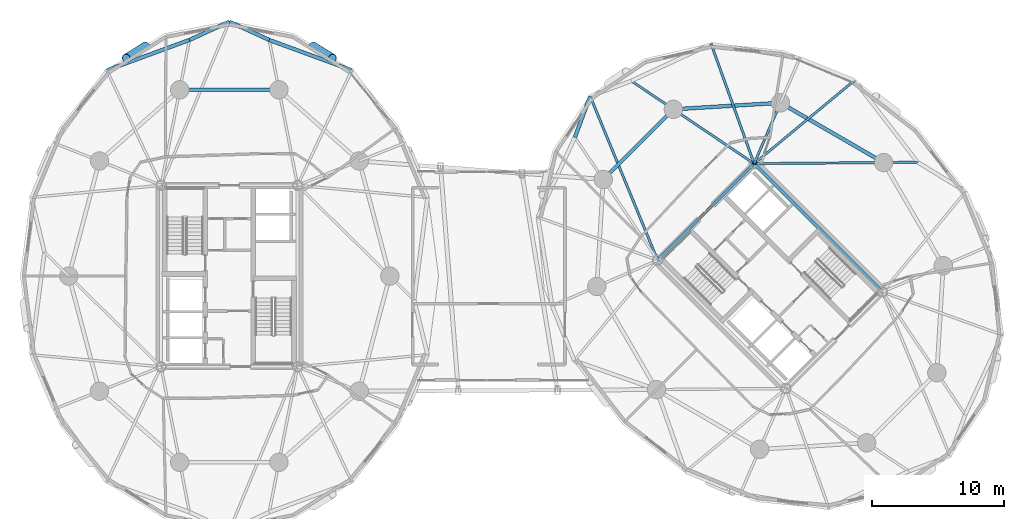
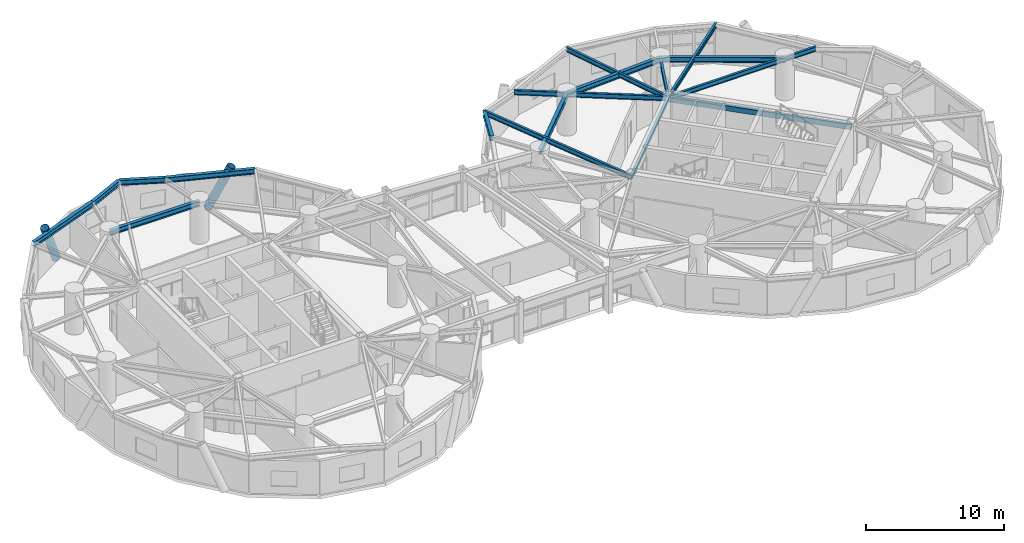
# One storey, part 7 of 19: 17 beams, 2 members.
"""IFC4 building model written with IfcOpenShell, lengths in metres."""

from ifc_helpers import new_model, si_unit, direction, frame, origin, origin_2d, place, context, subcontext, project, spatial, hollow_rectangle, hollow_circle, i_section, extrude, material, material_profile, profile_set, type_object, element, save


model = new_model("IFC4")

# Units and contexts
model_context = context("Model", 3, precision=1e-05, world=origin(), true_north=direction((0.0, 1.0)))
body_context = subcontext(model_context, "Body", "Model", "MODEL_VIEW")
ifc_project = project(units=[si_unit("LENGTHUNIT", "METRE"), si_unit("AREAUNIT", "SQUARE_METRE"), si_unit("VOLUMEUNIT", "CUBIC_METRE"), si_unit("PLANEANGLEUNIT", "RADIAN"), si_unit("MASSUNIT", "GRAM", prefix="KILO")], contexts=[model_context])

# Site, building, storey
site_placement = place(None, origin())
site = spatial("IfcSite", under=ifc_project, at=site_placement, CompositionType="ELEMENT")
building_placement = place(site_placement, origin())
building = spatial("IfcBuilding", under=site, at=building_placement, Name="Cununo Teusaquillo Station Towers", CompositionType="ELEMENT")
storey_placement = place(building_placement, frame((0.0, 0.0, 132.8798828125)))
storey = spatial("IfcBuildingStorey", under=building, at=storey_placement, Name="L42", CompositionType="ELEMENT", Elevation=132.8798828125)

# Beams
ifc_material_1 = material(Name="Steel EN 10025-2 S355J2", Category="steel")
ifc_material_profile_1 = material_profile(ifc_material_1, hollow_rectangle(XDim=0.25, YDim=0.449951171875, WallThickness=0.01611328125, at=origin_2d()), Name="RHS 450x250x16")
ifc_profile_set_1 = profile_set([ifc_material_profile_1], Name="Steel EN 10025-2 S355J2")
beam_type_1 = type_object("IfcBeamType", Name="BM-COUP-1", PredefinedType="USERDEFINED", material=ifc_profile_set_1)
beam_1_placement = place(storey_placement, frame((66.024169921875, 23.29443359375, 3.215087890625), z_axis=(-0.707106781187, 0.707106781187, 0.0), x_axis=(-0.707106781187, -0.707106781187, 0.0)))
element("IfcBeam", 1, at=beam_1_placement, inside=storey, type_object=beam_type_1, Name="L42 Tower B Core Beam 2", ObjectType="COUPLING BEAM", PredefinedType="USERDEFINED", context=body_context, shape_type="SweptSolid", body=[
    extrude(hollow_rectangle(XDim=0.25, YDim=0.449951171875, WallThickness=0.01611328125, at=origin_2d()), origin(), (0.0, 0.0, 1.0), 13.760009765625),
])
ifc_material_2 = material(Name="Steel ASTM A572 Grade 50", Category="steel")
ifc_material_profile_2 = material_profile(ifc_material_2, i_section(OverallWidth=0.180908203125, OverallDepth=0.4169921875, WebThickness=0.010986328125, FlangeThickness=0.018310546875, FilletRadius=0.012939453125, at=origin_2d()), Name="W16X57")
ifc_profile_set_2 = profile_set([ifc_material_profile_2], Name="Steel ASTM A572 Grade 50")
beam_type_2 = type_object("IfcBeamType", Name="BM-JOIST-1", PredefinedType="JOIST", material=ifc_profile_set_2)
beam_2_placement = place(storey_placement, frame((56.29443359375, 33.024169921875, 3.231689453125), z_axis=(0.769727799615, 0.638372238196, 0.0), x_axis=(-0.638372238196, 0.769727799615, 0.0)))
element("IfcBeam", 2, at=beam_2_placement, inside=storey, type_object=beam_type_2, Name="L42 Tower B Radial Spandrel Joist V01", PredefinedType="JOIST", context=body_context, shape_type="SweptSolid", body=[
    extrude(i_section(OverallWidth=0.180908203125, OverallDepth=0.4169921875, WebThickness=0.010986328125, FlangeThickness=0.018310546875, FilletRadius=0.012939453125, at=origin_2d()), origin(), (0.0, 0.0, 1.0), 9.895263671875),
])
beam_3_placement = place(storey_placement, frame((56.29443359375, 33.024169921875, 3.231689453125), z_axis=(-0.338176312038, 0.941082771055, 0.0), x_axis=(-0.941082771055, -0.338176312038, 0.0)))
element("IfcBeam", 3, at=beam_3_placement, inside=storey, type_object=beam_type_2, Name="L42 Tower B Radial Spandrel Joist V03", PredefinedType="JOIST", context=body_context, shape_type="SweptSolid", body=[
    extrude(i_section(OverallWidth=0.180908203125, OverallDepth=0.4169921875, WebThickness=0.010986328125, FlangeThickness=0.018310546875, FilletRadius=0.012939453125, at=origin_2d()), origin(), (0.0, 0.0, 1.0), 9.646484375),
])
beam_4_placement = place(storey_placement, frame((48.975830078125, 25.70556640625, 3.231689453125), z_axis=(-0.380485864505, 0.924786735908, 0.0), x_axis=(-0.924786735908, -0.380485864505, 0.0)))
element("IfcBeam", 4, at=beam_4_placement, inside=storey, type_object=beam_type_2, Name="L42 Tower B Radial Spandrel Joist V05", PredefinedType="JOIST", context=body_context, shape_type="SweptSolid", body=[
    extrude(i_section(OverallWidth=0.180908203125, OverallDepth=0.4169921875, WebThickness=0.010986328125, FlangeThickness=0.018310546875, FilletRadius=0.012939453125, at=origin_2d()), origin(), (0.0, 0.0, 1.0), 13.44580078125),
])
ifc_material_3 = material(Name="Steel ASTM A572 Grade 50", Category="steel")
ifc_material_profile_3 = material_profile(ifc_material_3, i_section(OverallWidth=0.2041015625, OverallDepth=0.35009765625, WebThickness=0.008544921875, FlangeThickness=0.01513671875, FilletRadius=0.011962890625, at=origin_2d()), Name="W14X48")
ifc_profile_set_3 = profile_set([ifc_material_profile_3], Name="Steel ASTM A572 Grade 50")
beam_type_3 = type_object("IfcBeamType", Name="BM-LINTEL-1", PredefinedType="LINTEL", material=ifc_profile_set_3)
beam_5_placement = place(storey_placement, frame((48.975830078125, 25.70556640625, 3.26513671875), z_axis=(0.707106781187, 0.707106781187, 0.0), x_axis=(-0.707106781187, 0.707106781187, 0.0)))
element("IfcBeam", 5, at=beam_5_placement, inside=storey, type_object=beam_type_3, Name="L42 Tower B Core Beam 4", PredefinedType="LINTEL", context=body_context, shape_type="SweptSolid", body=[
    extrude(i_section(OverallWidth=0.2041015625, OverallDepth=0.35009765625, WebThickness=0.008544921875, FlangeThickness=0.01513671875, FilletRadius=0.011962890625, at=origin_2d()), origin(), (0.0, 0.0, 1.0), 10.35009765625),
])
ifc_material_4 = material(Name="Steel ASTM A572 Grade 50", Category="steel")
ifc_material_profile_4 = material_profile(ifc_material_4, i_section(OverallWidth=0.180908203125, OverallDepth=0.4169921875, WebThickness=0.010986328125, FlangeThickness=0.018310546875, FilletRadius=0.012939453125, at=origin_2d()), Name="W16X57")
ifc_profile_set_4 = profile_set([ifc_material_profile_4], Name="Steel ASTM A572 Grade 50")
beam_type_4 = type_object("IfcBeamType", Name="BM-RAD-G2", PredefinedType="BEAM", material=ifc_profile_set_4)
beam_6_placement = place(storey_placement, frame((56.29443359375, 33.024169921875, 3.231689453125), z_axis=(0.999964331255, 0.008446077024, 0.0), x_axis=(-0.008446077024, 0.999964331255, 0.0)))
element("IfcBeam", 6, at=beam_6_placement, inside=storey, type_object=beam_type_4, Name="L42 Tower B Continuous Overhanging Radial Girder 01", PredefinedType="BEAM", context=body_context, shape_type="SweptSolid", body=[
    extrude(i_section(OverallWidth=0.180908203125, OverallDepth=0.4169921875, WebThickness=0.010986328125, FlangeThickness=0.018310546875, FilletRadius=0.012939453125, at=origin_2d()), origin(), (0.0, 0.0, 1.0), 12.400634765625),
])
beam_7_placement = place(storey_placement, frame((56.29443359375, 33.024169921875, 3.231689453125), z_axis=(0.397346986387, 0.917668443616, 0.0), x_axis=(-0.917668443616, 0.397346986387, 0.0)))
element("IfcBeam", 7, at=beam_7_placement, inside=storey, type_object=beam_type_4, Name="L42 Tower B Radial Girder 02A", PredefinedType="BEAM", context=body_context, shape_type="SweptSolid", body=[
    extrude(i_section(OverallWidth=0.180908203125, OverallDepth=0.4169921875, WebThickness=0.010986328125, FlangeThickness=0.018310546875, FilletRadius=0.012939453125, at=origin_2d()), origin(), (0.0, 0.0, 1.0), 5.02490234375),
])
beam_8_placement = place(storey_placement, frame((56.29443359375, 33.024169921875, 3.231689453125), z_axis=(-0.82945583878, 0.558572297481, 0.0), x_axis=(-0.558572297481, -0.82945583878, 0.0)))
element("IfcBeam", 8, at=beam_8_placement, inside=storey, type_object=beam_type_4, Name="L42 Tower B Continuous Overhanging Radial Girder 03", PredefinedType="BEAM", context=body_context, shape_type="SweptSolid", body=[
    extrude(i_section(OverallWidth=0.180908203125, OverallDepth=0.4169921875, WebThickness=0.010986328125, FlangeThickness=0.018310546875, FilletRadius=0.012939453125, at=origin_2d()), origin(), (0.0, 0.0, 1.0), 11.22998046875),
])
ifc_material_5 = material(Name="Steel ASTM A572 Grade 50", Category="steel")
ifc_material_profile_5 = material_profile(ifc_material_5, i_section(OverallWidth=0.280029296875, OverallDepth=0.462890625, WebThickness=0.0107421875, FlangeThickness=0.017333984375, FilletRadius=0.013916015625, at=origin_2d()), Name="W18X76")
ifc_profile_set_5 = profile_set([ifc_material_profile_5], Name="Steel ASTM A572 Grade 50")
beam_type_5 = type_object("IfcBeamType", Name="BM-RING-Z2", PredefinedType="SPANDREL", material=ifc_profile_set_5)
beam_9_placement = place(storey_placement, frame((20.261474609375, 38.623291015625, 3.20849609375), z_axis=(-1.0, 0.0, 0.0), x_axis=(0.0, -1.0, 0.0)))
element("IfcBeam", 9, at=beam_9_placement, inside=storey, type_object=beam_type_5, Name="L42 Tower A Structural Column Ring Girder 03", PredefinedType="SPANDREL", context=body_context, shape_type="SweptSolid", body=[
    extrude(i_section(OverallWidth=0.280029296875, OverallDepth=0.462890625, WebThickness=0.0107421875, FlangeThickness=0.017333984375, FilletRadius=0.013916015625, at=origin_2d()), origin(), (0.0, 0.0, 1.0), 7.52294921875),
])
beam_10_placement = place(storey_placement, frame((25.78759765625, 40.10595703125, 3.20849609375), z_axis=(-0.938914161016, 0.34415141761, 0.0), x_axis=(-0.34415141761, -0.938914161016, 0.0)))
element("IfcBeam", 10, at=beam_10_placement, inside=storey, type_object=beam_type_5, Name="L42 Tower A Spandrel Ring Beam 04", PredefinedType="SPANDREL", context=body_context, shape_type="SweptSolid", body=[
    extrude(i_section(OverallWidth=0.280029296875, OverallDepth=0.462890625, WebThickness=0.0107421875, FlangeThickness=0.017333984375, FilletRadius=0.013916015625, at=origin_2d()), origin(), (0.0, 0.0, 1.0), 6.671142578125),
])
for number, where, z_axis, x_axis, name in (
    (11, (19.52392578125, 42.40185546875, 3.20849609375), (-0.908812215281, 0.417205413862, 0.0), (-0.417205413862, -0.908812215281, 0.0), "L42 Tower A Spandrel Ring Beam 05"),
    (12, (16.5, 43.7900390625, 3.20849609375), (-0.908812215281, -0.417205413862, 0.0), (0.417205413862, -0.908812215281, 0.0), "L42 Tower A Spandrel Ring Beam 06"),
):
    element("IfcBeam", number, at=place(storey_placement, frame(where, z_axis=z_axis, x_axis=x_axis)), inside=storey, type_object=beam_type_5, Name=name, PredefinedType="SPANDREL", context=body_context, shape_type="SweptSolid", body=[
        extrude(i_section(OverallWidth=0.280029296875, OverallDepth=0.462890625, WebThickness=0.0107421875, FlangeThickness=0.017333984375, FilletRadius=0.013916015625, at=origin_2d()), origin(), (0.0, 0.0, 1.0), 3.327392578125),
    ])
beam_11_placement = place(storey_placement, frame((13.47607421875, 42.40185546875, 3.20849609375), z_axis=(-0.938914161016, -0.34415141761, 0.0), x_axis=(0.34415141761, -0.938914161016, 0.0)))
element("IfcBeam", 13, at=beam_11_placement, inside=storey, type_object=beam_type_5, Name="L42 Tower A Spandrel Ring Beam 07", PredefinedType="SPANDREL", context=body_context, shape_type="SweptSolid", body=[
    extrude(i_section(OverallWidth=0.280029296875, OverallDepth=0.462890625, WebThickness=0.0107421875, FlangeThickness=0.017333984375, FilletRadius=0.013916015625, at=origin_2d()), origin(), (0.0, 0.0, 1.0), 6.671142578125),
])
beam_12_placement = place(storey_placement, frame((66.10693359375, 33.10693359375, 3.20849609375), z_axis=(-0.865267103202, 0.501311121078, 0.0), x_axis=(-0.501311121078, -0.865267103202, 0.0)))
element("IfcBeam", 14, at=beam_12_placement, inside=storey, type_object=beam_type_5, Name="L42 Tower B Structural Column Ring Girder 01", PredefinedType="SPANDREL", context=body_context, shape_type="SweptSolid", body=[
    extrude(i_section(OverallWidth=0.280029296875, OverallDepth=0.462890625, WebThickness=0.0107421875, FlangeThickness=0.017333984375, FilletRadius=0.013916015625, at=origin_2d()), origin(), (0.0, 0.0, 1.0), 9.032958984375),
])
beam_13_placement = place(storey_placement, frame((58.291015625, 37.63525390625, 3.20849609375), z_axis=(-0.998190567048, -0.06012979176, 0.0), x_axis=(0.06012979176, -0.998190567048, 0.0)))
element("IfcBeam", 15, at=beam_13_placement, inside=storey, type_object=beam_type_5, Name="L42 Tower B Structural Column Ring Girder 02", PredefinedType="SPANDREL", context=body_context, shape_type="SweptSolid", body=[
    extrude(i_section(OverallWidth=0.280029296875, OverallDepth=0.462890625, WebThickness=0.0107421875, FlangeThickness=0.017333984375, FilletRadius=0.013916015625, at=origin_2d()), origin(), (0.0, 0.0, 1.0), 8.132568359375),
])
beam_14_placement = place(storey_placement, frame((50.173095703125, 37.146240234375, 3.20849609375), z_axis=(-0.707106781187, -0.707106781187, 0.0), x_axis=(0.707106781187, -0.707106781187, 0.0)))
element("IfcBeam", 16, at=beam_14_placement, inside=storey, type_object=beam_type_5, Name="L42 Tower B Structural Column Ring Girder 03", PredefinedType="SPANDREL", context=body_context, shape_type="SweptSolid", body=[
    extrude(i_section(OverallWidth=0.280029296875, OverallDepth=0.462890625, WebThickness=0.0107421875, FlangeThickness=0.017333984375, FilletRadius=0.013916015625, at=origin_2d()), origin(), (0.0, 0.0, 1.0), 7.522705078125),
])
beam_15_placement = place(storey_placement, frame((43.85986328125, 38.14013671875, 3.20849609375), z_axis=(-0.347639333943, -0.937628334414, 0.0), x_axis=(0.937628334414, -0.347639333943, 0.0)))
element("IfcBeam", 17, at=beam_15_placement, inside=storey, type_object=beam_type_5, Name="L42 Tower B Spandrel Ring Beam 06", PredefinedType="SPANDREL", context=body_context, shape_type="SweptSolid", body=[
    extrude(i_section(OverallWidth=0.280029296875, OverallDepth=0.462890625, WebThickness=0.0107421875, FlangeThickness=0.017333984375, FilletRadius=0.013916015625, at=origin_2d()), origin(), (0.0, 0.0, 1.0), 3.327392578125),
])

# Members
ifc_material_6 = material(Name="Steel EN 10025-2 S355J2", Category="steel")
ifc_material_profile_6 = material_profile(ifc_material_6, hollow_circle(Radius=0.330078125, WallThickness=0.02490234375, at=origin_2d()), Name="CHS 660x25")
ifc_profile_set_6 = profile_set([ifc_material_profile_6], Name="Steel EN 10025-2 S355J2")
member_type = type_object("IfcMemberType", Name="MBR-DIAG-Z2", PredefinedType="BRACE", material=ifc_profile_set_6)
for number, where, z_axis, x_axis, name in (
    (18, (22.85107421875, 41.9326171875, -0.139892578125), (0.35791948, -0.222643294759, 0.906820604715), (0.528195574716, 0.849122744278, 0.0), "L42 Tower A Folded-Zigzag Diagrid Tube C03"),
    (19, (10.14892578125, 41.9326171875, -0.139892578125), (-0.35791948, -0.222643294759, 0.906820604715), (0.528195574716, -0.849122744278, 0.0), "L42 Tower A Folded-Zigzag Diagrid Tube C06"),
):
    element("IfcMember", number, at=place(storey_placement, frame(where, z_axis=z_axis, x_axis=x_axis)), inside=storey, type_object=member_type, Name=name, PredefinedType="BRACE", context=body_context, shape_type="SweptSolid", body=[
        extrude(hollow_circle(Radius=0.330078125, WallThickness=0.02490234375, at=origin_2d()), origin(), (0.0, 0.0, 1.0), 4.102294921875),
    ])

save(model, "model.ifc")
